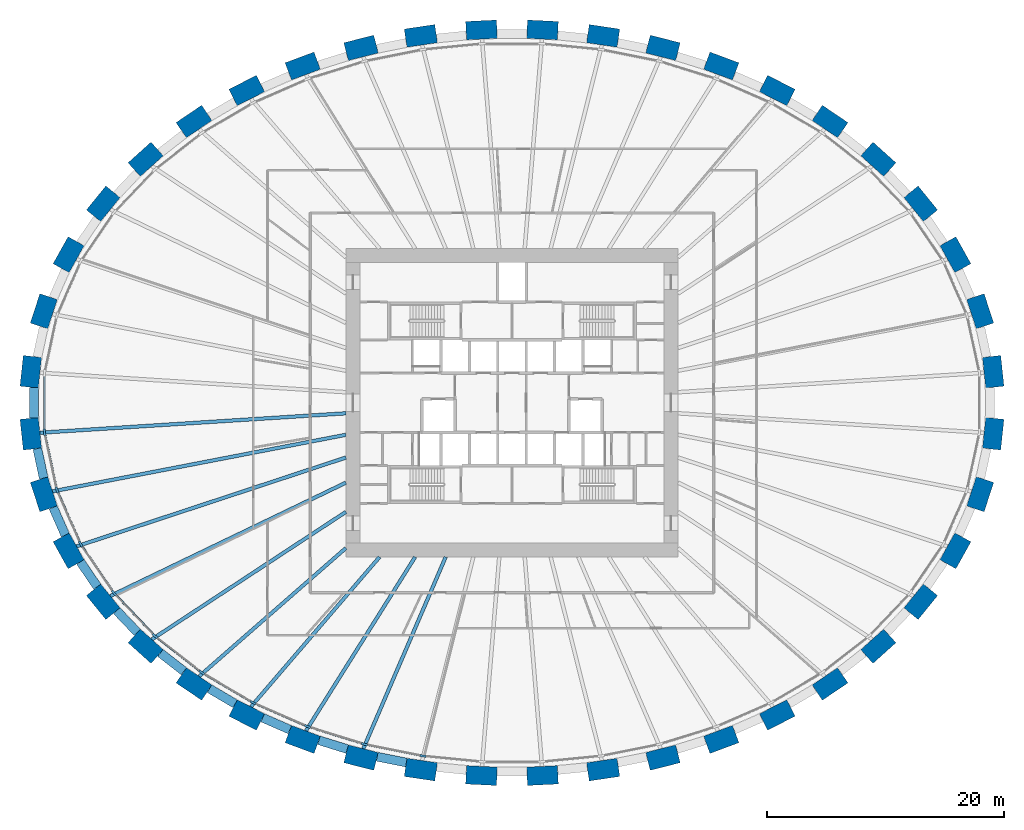
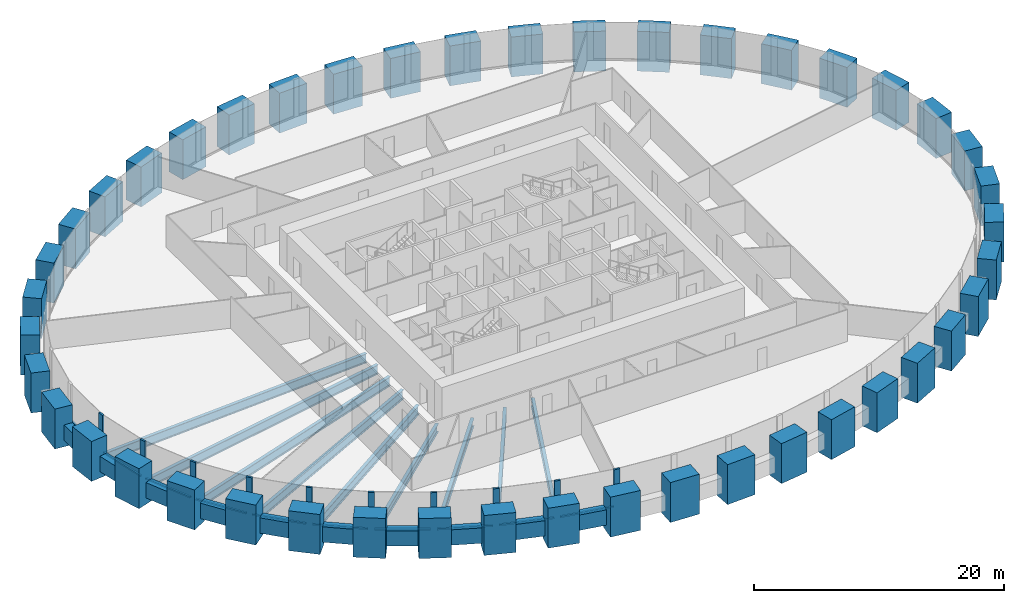
# One storey, part 1 of 11: 44 columns, 20 members, 19 beams, 1 element without a shape of its own.
"""IFC4 building model written with IfcOpenShell, lengths in metres."""

from ifc_helpers import new_model, si_unit, direction, frame, origin, origin_2d, place, context, subcontext, project, spatial, rectangle, i_section, extrude, source, transform, mapped, material, material_profile, profile_set, type_object, element, aggregate, save


model = new_model("IFC4")

# Units and contexts
model_context = context("Model", 3, precision=1e-05, world=origin(), true_north=direction((0.0, 1.0)))
body_context = subcontext(model_context, "Body", "Model", "MODEL_VIEW")
ifc_project = project(units=[si_unit("LENGTHUNIT", "METRE"), si_unit("AREAUNIT", "SQUARE_METRE"), si_unit("VOLUMEUNIT", "CUBIC_METRE"), si_unit("PLANEANGLEUNIT", "RADIAN"), si_unit("MASSUNIT", "GRAM", prefix="KILO")], contexts=[model_context])

# Site, building, storey
site_placement = place(None, origin())
site = spatial("IfcSite", under=ifc_project, at=site_placement, CompositionType="ELEMENT")
building_placement = place(site_placement, origin())
building = spatial("IfcBuilding", under=site, at=building_placement, Name="Embergate Tower", CompositionType="ELEMENT")
storey_placement = place(building_placement, frame((0.0, 0.0, 62.0)))
storey = spatial("IfcBuildingStorey", under=building, at=storey_placement, Name="L11", CompositionType="ELEMENT", Elevation=62.0)

# Columns
ifc_material_1 = material(Name="Concrete C70", Category="concrete")
ifc_material_profile_1 = material_profile(ifc_material_1, rectangle(XDim=1.550048828125, YDim=2.60009765625, at=origin_2d()), Name="RC 1550x2600")
ifc_profile_set_1 = profile_set([ifc_material_profile_1], Name="Concrete C70")
column_type = type_object("IfcColumnType", Name="Ring column RC 1550x2600 C70", PredefinedType="COLUMN", material=ifc_profile_set_1)
shared_shape_1 = source(origin(), body_context, "Body", "SweptSolid", [
    extrude(rectangle(XDim=1.550048828125, YDim=2.60009765625, at=origin_2d()), origin(), (0.0, 0.0, 1.0), 3.89990234375),
])
for number, where, z_axis, x_axis, name in (
    (1, (40.552001953125, 2.610107421875, -1.39990234375), (0.0, 0.0, 1.0), (0.99428589498, 0.106749983816, 0.0), "COL-L11-00"),
    (2, (39.455078125, 7.708984375, -1.39990234375), (0.0, 0.0, 1.0), (0.950754033697, 0.309946394413, 0.0), "COL-L11-01"),
    (3, (37.364013671875, 12.47705078125, -1.39990234375), (0.0, 0.0, 1.0), (0.873500465855, 0.486823311018, 0.0), "COL-L11-02"),
    (4, (34.445068359375, 16.77001953125, -1.39990234375), (0.0, 0.0, 1.0), (0.775925311702, 0.630824786022, 0.0), "COL-L11-03"),
    (5, (30.87109375, 20.51806640625, -1.39990234375), (0.0, 0.0, 1.0), (0.669221393633, 0.743063070206, 0.0), "COL-L11-04"),
    (6, (26.798095703125, 23.697998046875, -1.39990234375), (0.0, 0.0, 1.0), (0.560407734638, 0.828216862275, 0.0), "COL-L11-05"),
    (7, (22.35205078125, 26.31201171875, -1.39990234375), (0.0, 0.0, 1.0), (0.453010512651, 0.891505174089, 0.0), "COL-L11-06"),
    (8, (17.634033203125, 28.375, -1.39990234375), (0.0, 0.0, 1.0), (0.348343015724, 0.93736713373, 0.0), "COL-L11-07"),
    (9, (12.721923828125, 29.905029296875, -1.39990234375), (0.0, 0.0, 1.0), (0.24650851817, 0.969140624713, 0.0), "COL-L11-08"),
    (10, (7.681884765625, 30.916015625, -1.39990234375), (0.0, 0.0, 1.0), (0.146929011949, 0.989147039346, 0.0), "COL-L11-09"),
    (11, (2.569091796875, 31.41796875, -1.39990234375), (0.0, 0.0, 1.0), (0.048814904854, 0.998807841912, 0.0), "COL-L11-10"),
    (12, (-2.569091796875, 31.41796875, -1.39990234375), (0.0, 0.0, 1.0), (-0.048814904854, 0.998807841912, 0.0), "COL-L11-11"),
    (13, (-7.681884765625, 30.916015625, -1.39990234375), (0.0, 0.0, 1.0), (-0.146929011949, 0.989147039346, 0.0), "COL-L11-12"),
    (14, (-12.721923828125, 29.905029296875, -1.39990234375), (0.0, 0.0, 1.0), (-0.24650851817, 0.969140624713, 0.0), "COL-L11-13"),
    (15, (-17.634033203125, 28.375, -1.39990234375), (0.0, 0.0, 1.0), (-0.348343015724, 0.93736713373, 0.0), "COL-L11-14"),
    (16, (-22.35205078125, 26.31201171875, -1.39990234375), (0.0, 0.0, 1.0), (-0.453010512651, 0.891505174089, 0.0), "COL-L11-15"),
    (17, (-26.798095703125, 23.697998046875, -1.39990234375), (0.0, 0.0, 1.0), (-0.560407734638, 0.828216862275, 0.0), "COL-L11-16"),
    (18, (-30.87109375, 20.51806640625, -1.39990234375), (0.0, 0.0, 1.0), (-0.669221393633, 0.743063070206, 0.0), "COL-L11-17"),
    (19, (-34.445068359375, 16.77001953125, -1.39990234375), (0.0, 0.0, 1.0), (-0.775925311702, 0.630824786022, 0.0), "COL-L11-18"),
    (20, (-37.364013671875, 12.47705078125, -1.39990234375), (0.0, 0.0, 1.0), (-0.873500465855, 0.486823311018, 0.0), "COL-L11-19"),
    (21, (-39.455078125, 7.708984375, -1.39990234375), (0.0, 0.0, 1.0), (-0.950754033697, 0.309946394413, 0.0), "COL-L11-20"),
    (22, (-40.552001953125, 2.610107421875, -1.39990234375), (0.0, 0.0, 1.0), (-0.99428589498, 0.106749983816, 0.0), "COL-L11-21"),
    (23, (-40.552001953125, -2.610107421875, -1.39990234375), (0.0, 0.0, 1.0), (-0.99428589498, -0.106749983816, 0.0), "COL-L11-22"),
    (24, (-39.455078125, -7.708984375, -1.39990234375), (0.0, 0.0, 1.0), (-0.950754033697, -0.309946394413, 0.0), "COL-L11-23"),
    (25, (-37.364013671875, -12.47705078125, -1.39990234375), (0.0, 0.0, 1.0), (-0.873500465855, -0.486823311018, 0.0), "COL-L11-24"),
    (26, (-34.445068359375, -16.77001953125, -1.39990234375), (0.0, 0.0, 1.0), (-0.775925311702, -0.630824786022, 0.0), "COL-L11-25"),
    (27, (-30.87109375, -20.51806640625, -1.39990234375), (0.0, 0.0, 1.0), (-0.669221393633, -0.743063070206, 0.0), "COL-L11-26"),
    (28, (-26.798095703125, -23.697998046875, -1.39990234375), (0.0, 0.0, 1.0), (-0.560407734638, -0.828216862275, 0.0), "COL-L11-27"),
    (29, (-22.35205078125, -26.31201171875, -1.39990234375), (0.0, 0.0, 1.0), (-0.453010512651, -0.891505174089, 0.0), "COL-L11-28"),
    (30, (-17.634033203125, -28.375, -1.39990234375), (0.0, 0.0, 1.0), (-0.348343015724, -0.93736713373, 0.0), "COL-L11-29"),
    (31, (-12.721923828125, -29.905029296875, -1.39990234375), (0.0, 0.0, 1.0), (-0.24650851817, -0.969140624713, 0.0), "COL-L11-30"),
    (32, (-7.681884765625, -30.916015625, -1.39990234375), (0.0, 0.0, 1.0), (-0.146929011949, -0.989147039346, 0.0), "COL-L11-31"),
    (33, (-2.569091796875, -31.41796875, -1.39990234375), (0.0, 0.0, 1.0), (-0.048814904854, -0.998807841912, 0.0), "COL-L11-32"),
    (34, (2.569091796875, -31.41796875, -1.39990234375), (0.0, 0.0, 1.0), (0.048814904854, -0.998807841912, 0.0), "COL-L11-33"),
    (35, (7.681884765625, -30.916015625, -1.39990234375), (0.0, 0.0, 1.0), (0.146929011949, -0.989147039346, 0.0), "COL-L11-34"),
    (36, (12.721923828125, -29.905029296875, -1.39990234375), (0.0, 0.0, 1.0), (0.24650851817, -0.969140624713, 0.0), "COL-L11-35"),
    (37, (17.634033203125, -28.375, -1.39990234375), (0.0, 0.0, 1.0), (0.348343015724, -0.93736713373, 0.0), "COL-L11-36"),
    (38, (22.35205078125, -26.31201171875, -1.39990234375), (0.0, 0.0, 1.0), (0.453010512651, -0.891505174089, 0.0), "COL-L11-37"),
    (39, (26.798095703125, -23.697998046875, -1.39990234375), (0.0, 0.0, 1.0), (0.560407734638, -0.828216862275, 0.0), "COL-L11-38"),
    (40, (30.87109375, -20.51806640625, -1.39990234375), (0.0, 0.0, 1.0), (0.669221393633, -0.743063070206, 0.0), "COL-L11-39"),
    (41, (34.445068359375, -16.77001953125, -1.39990234375), (0.0, 0.0, 1.0), (0.775925311702, -0.630824786022, 0.0), "COL-L11-40"),
    (42, (37.364013671875, -12.47705078125, -1.39990234375), (0.0, 0.0, 1.0), (0.873500465855, -0.486823311018, 0.0), "COL-L11-41"),
    (43, (39.455078125, -7.708984375, -1.39990234375), (0.0, 0.0, 1.0), (0.950754033697, -0.309946394413, 0.0), "COL-L11-42"),
    (44, (40.552001953125, -2.610107421875, -1.39990234375), (0.0, 0.0, 1.0), (0.99428589498, -0.106749983816, 0.0), "COL-L11-43"),
):
    element("IfcColumn", number, at=place(storey_placement, frame(where, z_axis=z_axis, x_axis=x_axis)), inside=storey, type_object=column_type, Name=name, PredefinedType="COLUMN", context=body_context, shape_type="MappedRepresentation", body=[
        mapped(shared_shape_1, transform((0.0, 0.0, 0.0))),
    ])

# Beams
ifc_material_profile_2 = material_profile(ifc_material_1, rectangle(XDim=0.75, YDim=1.5, at=origin_2d()), Name="RC 750x1500")
ifc_profile_set_2 = profile_set([ifc_material_profile_2], Name="Concrete C70")
beam_type_1 = type_object("IfcBeamType", Name="Spandrel beam RC 750x1500 C70", PredefinedType="BEAM", material=ifc_profile_set_2)
shared_shape_2 = source(origin(), body_context, "Body", "SweptSolid", [
    extrude(rectangle(XDim=0.75, YDim=1.5, at=origin_2d()), origin(), (0.0, 0.0, 1.0), 2.5439453125),
])
beam_1_placement = place(storey_placement, frame((-40.0009765625, -3.85791015625, 0.0), z_axis=(0.210269633901, -0.977643432474, 0.0), x_axis=(0.977643432474, 0.210269633901, 0.0)))
element("IfcBeam", 45, at=beam_1_placement, inside=storey, type_object=beam_type_1, Name="SPN-L11-22", PredefinedType="BEAM", context=body_context, shape_type="MappedRepresentation", body=[
    mapped(shared_shape_2, transform((0.0, 0.0, 0.0))),
])
shared_shape_3 = source(origin(), body_context, "Body", "SweptSolid", [
    extrude(rectangle(XDim=0.75, YDim=1.5, at=origin_2d()), origin(), (0.0, 0.0, 1.0), 2.540771484375),
])
beam_2_placement = place(storey_placement, frame((-38.666015625, -8.819091796875, 0.0), z_axis=(0.401479097778, -0.915868185956, 0.0), x_axis=(0.915868185956, 0.401479097778, 0.0)))
element("IfcBeam", 46, at=beam_2_placement, inside=storey, type_object=beam_type_1, Name="SPN-L11-23", PredefinedType="BEAM", context=body_context, shape_type="MappedRepresentation", body=[
    mapped(shared_shape_3, transform((0.0, 0.0, 0.0))),
])
shared_shape_4 = source(origin(), body_context, "Body", "SweptSolid", [
    extrude(rectangle(XDim=0.75, YDim=1.5, at=origin_2d()), origin(), (0.0, 0.0, 1.0), 2.5302734375),
])
beam_3_placement = place(storey_placement, frame((-36.3701171875, -13.410888671875, 0.0), z_axis=(0.562447254988, -0.82683316658, 0.0), x_axis=(0.82683316658, 0.562447254988, 0.0)))
element("IfcBeam", 47, at=beam_3_placement, inside=storey, type_object=beam_type_1, Name="SPN-L11-24", PredefinedType="BEAM", context=body_context, shape_type="MappedRepresentation", body=[
    mapped(shared_shape_4, transform((0.0, 0.0, 0.0))),
])
shared_shape_5 = source(origin(), body_context, "Body", "SweptSolid", [
    extrude(rectangle(XDim=0.75, YDim=1.5, at=origin_2d()), origin(), (0.0, 0.0, 1.0), 2.525146484375),
])
beam_4_placement = place(storey_placement, frame((-33.31298828125, -17.52490234375, 0.0), z_axis=(0.689836216716, -0.723965464719, 0.0), x_axis=(0.723965464719, 0.689836216716, 0.0)))
element("IfcBeam", 48, at=beam_4_placement, inside=storey, type_object=beam_type_1, Name="SPN-L11-25", PredefinedType="BEAM", context=body_context, shape_type="MappedRepresentation", body=[
    mapped(shared_shape_5, transform((0.0, 0.0, 0.0))),
])
shared_shape_6 = source(origin(), body_context, "Body", "SweptSolid", [
    extrude(rectangle(XDim=0.75, YDim=1.5, at=origin_2d()), origin(), (0.0, 0.0, 1.0), 2.51708984375),
])
beam_5_placement = place(storey_placement, frame((-29.6298828125, -21.0830078125, 0.0), z_axis=(0.788186103863, -0.615436971328, 0.0), x_axis=(0.615436971328, 0.788186103863, 0.0)))
element("IfcBeam", 49, at=beam_5_placement, inside=storey, type_object=beam_type_1, Name="SPN-L11-26", PredefinedType="BEAM", context=body_context, shape_type="MappedRepresentation", body=[
    mapped(shared_shape_6, transform((0.0, 0.0, 0.0))),
])
shared_shape_7 = source(origin(), body_context, "Body", "SweptSolid", [
    extrude(rectangle(XDim=0.75, YDim=1.5, at=origin_2d()), origin(), (0.0, 0.0, 1.0), 2.512451171875),
])
beam_6_placement = place(storey_placement, frame((-25.49609375, -24.093994140625, 0.0), z_axis=(0.862138987282, -0.506671852986, 0.0), x_axis=(0.506671852986, 0.862138987282, 0.0)))
element("IfcBeam", 50, at=beam_6_placement, inside=storey, type_object=beam_type_1, Name="SPN-L11-27", PredefinedType="BEAM", context=body_context, shape_type="MappedRepresentation", body=[
    mapped(shared_shape_7, transform((0.0, 0.0, 0.0))),
])
shared_shape_8 = source(origin(), body_context, "Body", "SweptSolid", [
    extrude(rectangle(XDim=0.75, YDim=1.5, at=origin_2d()), origin(), (0.0, 0.0, 1.0), 2.508056640625),
])
beam_7_placement = place(storey_placement, frame((-21.013916015625, -26.549072265625, 0.0), z_axis=(0.916219880472, -0.400675842331, 0.0), x_axis=(0.400675842331, 0.916219880472, 0.0)))
element("IfcBeam", 51, at=beam_7_placement, inside=storey, type_object=beam_type_1, Name="SPN-L11-28", PredefinedType="BEAM", context=body_context, shape_type="MappedRepresentation", body=[
    mapped(shared_shape_8, transform((0.0, 0.0, 0.0))),
])
shared_shape_9 = source(origin(), body_context, "Body", "SweptSolid", [
    extrude(rectangle(XDim=0.75, YDim=1.5, at=origin_2d()), origin(), (0.0, 0.0, 1.0), 2.505126953125),
])
beam_8_placement = place(storey_placement, frame((-16.27294921875, -28.444091796875, 0.0), z_axis=(0.95477257779, -0.297337055715, 0.0), x_axis=(0.297337055715, 0.95477257779, 0.0)))
element("IfcBeam", 52, at=beam_8_placement, inside=storey, type_object=beam_type_1, Name="SPN-L11-29", PredefinedType="BEAM", context=body_context, shape_type="MappedRepresentation", body=[
    mapped(shared_shape_9, transform((0.0, 0.0, 0.0))),
])
shared_shape_10 = source(origin(), body_context, "Body", "SweptSolid", [
    extrude(rectangle(XDim=0.75, YDim=1.5, at=origin_2d()), origin(), (0.0, 0.0, 1.0), 2.5029296875),
])
beam_9_placement = place(storey_placement, frame((-11.362060546875, -29.83203125, 0.0), z_axis=(0.980494293439, -0.196547552853, 0.0), x_axis=(0.196547552853, 0.980494293439, 0.0)))
element("IfcBeam", 53, at=beam_9_placement, inside=storey, type_object=beam_type_1, Name="SPN-L11-30", PredefinedType="BEAM", context=body_context, shape_type="MappedRepresentation", body=[
    mapped(shared_shape_10, transform((0.0, 0.0, 0.0))),
])
shared_shape_11 = source(origin(), body_context, "Body", "SweptSolid", [
    extrude(rectangle(XDim=0.75, YDim=1.5, at=origin_2d()), origin(), (0.0, 0.0, 1.0), 2.5498046875),
])
beam_10_placement = place(storey_placement, frame((-40.2958984375, 1.27490234375, 0.0), z_axis=(0.0, -1.0, 0.0), x_axis=(1.0, 0.0, 0.0)))
element("IfcBeam", 54, at=beam_10_placement, inside=storey, type_object=beam_type_1, Name="SPN-L11-21", PredefinedType="BEAM", context=body_context, shape_type="MappedRepresentation", body=[
    mapped(shared_shape_11, transform((0.0, 0.0, 0.0))),
])
ifc_material_2 = material(Name="Steel Q355B", Category="steel")
ifc_material_profile_3 = material_profile(ifc_material_2, i_section(OverallWidth=0.300048828125, OverallDepth=0.89990234375, WebThickness=0.01611328125, FlangeThickness=0.028076171875, FilletRadius=0.028076171875, at=origin_2d()), Name="HN 900x300x16x28")
ifc_profile_set_3 = profile_set([ifc_material_profile_3], Name="Steel Q355 grade B")
beam_type_2 = type_object("IfcBeamType", Name="Radial girder HN 900x300x16x28", PredefinedType="BEAM", material=ifc_profile_set_3)
shared_shape_12 = source(origin(), body_context, "Body", "SweptSolid", [
    extrude(i_section(OverallWidth=0.300048828125, OverallDepth=0.89990234375, WebThickness=0.01611328125, FlangeThickness=0.028076171875, FilletRadius=0.028076171875, at=origin_2d()), origin(), (0.0, 0.0, 1.0), 25.8330078125),
])
beam_11_placement = place(storey_placement, frame((-39.781005859375, -2.527099609375, -0.64990234375), z_axis=(0.997987282957, 0.063414375786, 0.0), x_axis=(-0.063414375786, 0.997987282957, 0.0)))
element("IfcBeam", 55, at=beam_11_placement, inside=storey, type_object=beam_type_2, Name="GIR-L11-22", PredefinedType="BEAM", context=body_context, shape_type="MappedRepresentation", body=[
    mapped(shared_shape_12, transform((0.0, 0.0, 0.0))),
])
shared_shape_13 = source(origin(), body_context, "Body", "SweptSolid", [
    extrude(i_section(OverallWidth=0.300048828125, OverallDepth=0.89990234375, WebThickness=0.01611328125, FlangeThickness=0.028076171875, FilletRadius=0.028076171875, at=origin_2d()), origin(), (0.0, 0.0, 1.0), 25.173583984375),
])
beam_12_placement = place(storey_placement, frame((-38.718017578125, -7.468994140625, -0.64990234375), z_axis=(0.981898721565, 0.189406706822, 0.0), x_axis=(-0.189406706822, 0.981898721565, 0.0)))
element("IfcBeam", 56, at=beam_12_placement, inside=storey, type_object=beam_type_2, Name="GIR-L11-23", PredefinedType="BEAM", context=body_context, shape_type="MappedRepresentation", body=[
    mapped(shared_shape_13, transform((0.0, 0.0, 0.0))),
])
shared_shape_14 = source(origin(), body_context, "Body", "SweptSolid", [
    extrude(i_section(OverallWidth=0.300048828125, OverallDepth=0.89990234375, WebThickness=0.01611328125, FlangeThickness=0.028076171875, FilletRadius=0.028076171875, at=origin_2d()), origin(), (0.0, 0.0, 1.0), 23.889404296875),
])
beam_13_placement = place(storey_placement, frame((-36.68701171875, -12.10009765625, -0.64990234375), z_axis=(0.949672981662, 0.313243081171, 0.0), x_axis=(-0.313243081171, 0.949672981662, 0.0)))
element("IfcBeam", 57, at=beam_13_placement, inside=storey, type_object=beam_type_2, Name="GIR-L11-24", PredefinedType="BEAM", context=body_context, shape_type="MappedRepresentation", body=[
    mapped(shared_shape_14, transform((0.0, 0.0, 0.0))),
])
shared_shape_15 = source(origin(), body_context, "Body", "SweptSolid", [
    extrude(i_section(OverallWidth=0.300048828125, OverallDepth=0.89990234375, WebThickness=0.01611328125, FlangeThickness=0.028076171875, FilletRadius=0.028076171875, at=origin_2d()), origin(), (0.0, 0.0, 1.0), 22.020751953125),
])
beam_14_placement = place(storey_placement, frame((-33.843994140625, -16.281005859375, -0.64990234375), z_axis=(0.90115457104, 0.433497911291, 0.0), x_axis=(-0.433497911291, 0.90115457104, 0.0)))
element("IfcBeam", 58, at=beam_14_placement, inside=storey, type_object=beam_type_2, Name="GIR-L11-25", PredefinedType="BEAM", context=body_context, shape_type="MappedRepresentation", body=[
    mapped(shared_shape_15, transform((0.0, 0.0, 0.0))),
])
shared_shape_16 = source(origin(), body_context, "Body", "SweptSolid", [
    extrude(i_section(OverallWidth=0.300048828125, OverallDepth=0.89990234375, WebThickness=0.01611328125, FlangeThickness=0.028076171875, FilletRadius=0.028076171875, at=origin_2d()), origin(), (0.0, 0.0, 1.0), 19.56591796875),
])
beam_15_placement = place(storey_placement, frame((-30.35205078125, -19.94189453125, -0.64990234375), z_axis=(0.835746219167, 0.549115886812, 0.0), x_axis=(-0.549115886812, 0.835746219167, 0.0)))
element("IfcBeam", 59, at=beam_15_placement, inside=storey, type_object=beam_type_2, Name="GIR-L11-26", PredefinedType="BEAM", context=body_context, shape_type="MappedRepresentation", body=[
    mapped(shared_shape_16, transform((0.0, 0.0, 0.0))),
])
ifc_material_profile_4 = material_profile(ifc_material_2, i_section(OverallWidth=0.300048828125, OverallDepth=0.800048828125, WebThickness=0.013916015625, FlangeThickness=0.02587890625, FilletRadius=0.028076171875, at=origin_2d()), Name="HN 800x300x14x26")
ifc_profile_set_4 = profile_set([ifc_material_profile_4], Name="Steel Q355 grade B")
beam_type_3 = type_object("IfcBeamType", Name="Radial girder HN 800x300x14x26", PredefinedType="BEAM", material=ifc_profile_set_4)
shared_shape_17 = source(origin(), body_context, "Body", "SweptSolid", [
    extrude(i_section(OverallWidth=0.300048828125, OverallDepth=0.800048828125, WebThickness=0.013916015625, FlangeThickness=0.02587890625, FilletRadius=0.028076171875, at=origin_2d()), origin(), (0.0, 0.0, 1.0), 16.424560546875),
])
beam_16_placement = place(storey_placement, frame((-26.364013671875, -23.055908203125, -0.60009765625), z_axis=(0.752772791173, 0.658280430265, 0.0), x_axis=(-0.658280430265, 0.752772791173, 0.0)))
element("IfcBeam", 60, at=beam_16_placement, inside=storey, type_object=beam_type_3, Name="GIR-L11-27", PredefinedType="BEAM", context=body_context, shape_type="MappedRepresentation", body=[
    mapped(shared_shape_17, transform((0.0, 0.0, 0.0))),
])
shared_shape_18 = source(origin(), body_context, "Body", "SweptSolid", [
    extrude(i_section(OverallWidth=0.300048828125, OverallDepth=0.800048828125, WebThickness=0.013916015625, FlangeThickness=0.02587890625, FilletRadius=0.028076171875, at=origin_2d()), origin(), (0.0, 0.0, 1.0), 16.6357421875),
])
beam_17_placement = place(storey_placement, frame((-22.0009765625, -25.62109375, -0.60009765625), z_axis=(0.651477578484, 0.758667888297, 0.0), x_axis=(-0.758667888297, 0.651477578484, 0.0)))
element("IfcBeam", 61, at=beam_17_placement, inside=storey, type_object=beam_type_3, Name="GIR-L11-28", PredefinedType="BEAM", context=body_context, shape_type="MappedRepresentation", body=[
    mapped(shared_shape_18, transform((0.0, 0.0, 0.0))),
])
shared_shape_19 = source(origin(), body_context, "Body", "SweptSolid", [
    extrude(i_section(OverallWidth=0.300048828125, OverallDepth=0.800048828125, WebThickness=0.013916015625, FlangeThickness=0.02587890625, FilletRadius=0.028076171875, at=origin_2d()), origin(), (0.0, 0.0, 1.0), 17.29833984375),
])
beam_18_placement = place(storey_placement, frame((-17.364013671875, -27.64892578125, -0.60009765625), z_axis=(0.53184228431, 0.84684342391, 0.0), x_axis=(-0.84684342391, 0.53184228431, 0.0)))
element("IfcBeam", 62, at=beam_18_placement, inside=storey, type_object=beam_type_3, Name="GIR-L11-29", PredefinedType="BEAM", context=body_context, shape_type="MappedRepresentation", body=[
    mapped(shared_shape_19, transform((0.0, 0.0, 0.0))),
])
shared_shape_20 = source(origin(), body_context, "Body", "SweptSolid", [
    extrude(i_section(OverallWidth=0.300048828125, OverallDepth=0.800048828125, WebThickness=0.013916015625, FlangeThickness=0.02587890625, FilletRadius=0.028076171875, at=origin_2d()), origin(), (0.0, 0.0, 1.0), 17.5830078125),
])
beam_19_placement = place(storey_placement, frame((-12.531005859375, -29.154052734375, -0.60009765625), z_axis=(0.394877633305, 0.91873372351, 0.0), x_axis=(-0.91873372351, 0.394877633305, 0.0)))
element("IfcBeam", 63, at=beam_19_placement, inside=storey, type_object=beam_type_3, Name="GIR-L11-30", PredefinedType="BEAM", context=body_context, shape_type="MappedRepresentation", body=[
    mapped(shared_shape_20, transform((0.0, 0.0, 0.0))),
])

# Curtain wall, members
ifc_material_3 = material(Name="Aluminium and glass", Category="aluminium")
curtain_wall_type = type_object("IfcCurtainWallType", Name="Recessed office glazing", PredefinedType="NOTDEFINED", material=ifc_material_3)
curtain_wall_placement = place(storey_placement, origin())
curtain_wall = element("IfcCurtainWall", 64, at=curtain_wall_placement, inside=storey, type_object=curtain_wall_type, Name="Recessed office glazing ring", ObjectType="RECESSED OFFICE GLAZING", PredefinedType="USERDEFINED")
ifc_material_4 = material(Name="Aluminium, thermally broken", Category="aluminium")
ifc_material_profile_5 = material_profile(ifc_material_4, rectangle(XDim=0.179931640625, YDim=0.52001953125, at=origin_2d()), Name="AL 520x180")
ifc_profile_set_5 = profile_set([ifc_material_profile_5], Name="Aluminium, thermally broken")
member_type_1 = type_object("IfcMemberType", Name="Office mullion", PredefinedType="MULLION", material=ifc_profile_set_5)
shared_shape_21 = source(origin(), body_context, "Body", "SweptSolid", [
    extrude(rectangle(XDim=0.179931640625, YDim=0.52001953125, at=origin_2d()), origin(), (0.0, 0.0, 1.0), 3.699951171875),
])
member_1_placement = place(storey_placement, frame((-39.393798828125, -2.485595703125, 0.0), z_axis=(0.0, 0.0, 1.0), x_axis=(0.994385508811, 0.105818050756, 0.0)))
member_1 = element("IfcMember", 65, at=member_1_placement, type_object=member_type_1, Name="CW mullion 23", PredefinedType="MULLION", context=body_context, shape_type="MappedRepresentation", body=[
    mapped(shared_shape_21, transform((0.0, 0.0, 0.0))),
])
member_2_placement = place(storey_placement, frame((-38.347412109375, -7.347900390625, 0.0), z_axis=(0.0, 0.0, 1.0), x_axis=(0.951502093582, 0.307642269381, 0.0)))
member_2 = element("IfcMember", 66, at=member_2_placement, type_object=member_type_1, Name="CW mullion 24", PredefinedType="MULLION", context=body_context, shape_type="MappedRepresentation", body=[
    mapped(shared_shape_21, transform((0.0, 0.0, 0.0))),
])
member_3_placement = place(storey_placement, frame((-36.3466796875, -11.909423828125, 0.0), z_axis=(0.0, 0.0, 1.0), x_axis=(0.875010345178, 0.48410422001, 0.0)))
member_3 = element("IfcMember", 67, at=member_3_placement, type_object=member_type_1, Name="CW mullion 25", PredefinedType="MULLION", context=body_context, shape_type="MappedRepresentation", body=[
    mapped(shared_shape_21, transform((0.0, 0.0, 0.0))),
])
member_4_placement = place(storey_placement, frame((-33.541015625, -16.035400390625, 0.0), z_axis=(0.0, 0.0, 1.0), x_axis=(0.777883532271, 0.628408474022, 0.0)))
member_4 = element("IfcMember", 68, at=member_4_placement, type_object=member_type_1, Name="CW mullion 26", PredefinedType="MULLION", context=body_context, shape_type="MappedRepresentation", body=[
    mapped(shared_shape_21, transform((0.0, 0.0, 0.0))),
])
member_5_placement = place(storey_placement, frame((-30.09130859375, -19.65283203125, 0.0), z_axis=(0.0, 0.0, 1.0), x_axis=(0.671239471147, 0.741240563093, 0.0)))
member_5 = element("IfcMember", 69, at=member_5_placement, type_object=member_type_1, Name="CW mullion 27", PredefinedType="MULLION", context=body_context, shape_type="MappedRepresentation", body=[
    mapped(shared_shape_21, transform((0.0, 0.0, 0.0))),
])
member_6_placement = place(storey_placement, frame((-26.14501953125, -22.73291015625, 0.0), z_axis=(0.0, 0.0, 1.0), x_axis=(0.562229165438, 0.826981478348, 0.0)))
member_6 = element("IfcMember", 70, at=member_6_placement, type_object=member_type_1, Name="CW mullion 28", PredefinedType="MULLION", context=body_context, shape_type="MappedRepresentation", body=[
    mapped(shared_shape_21, transform((0.0, 0.0, 0.0))),
])
member_7_placement = place(storey_placement, frame((-21.824462890625, -25.273193359375, 0.0), z_axis=(0.0, 0.0, 1.0), x_axis=(0.454520708319, 0.890736170653, 0.0)))
member_7 = element("IfcMember", 71, at=member_7_placement, type_object=member_type_1, Name="CW mullion 29", PredefinedType="MULLION", context=body_context, shape_type="MappedRepresentation", body=[
    mapped(shared_shape_21, transform((0.0, 0.0, 0.0))),
])
member_8_placement = place(storey_placement, frame((-17.22802734375, -27.282958984375, 0.0), z_axis=(0.0, 0.0, 1.0), x_axis=(0.349510859141, 0.936932313106, 0.0)))
member_8 = element("IfcMember", 72, at=member_8_placement, type_object=member_type_1, Name="CW mullion 30", PredefinedType="MULLION", context=body_context, shape_type="MappedRepresentation", body=[
    mapped(shared_shape_21, transform((0.0, 0.0, 0.0))),
])
member_9_placement = place(storey_placement, frame((-12.435302734375, -28.775634765625, 0.0), z_axis=(0.0, 0.0, 1.0), x_axis=(0.247318645812, 0.968934201808, 0.0)))
member_9 = element("IfcMember", 73, at=member_9_placement, type_object=member_type_1, Name="CW mullion 31", PredefinedType="MULLION", context=body_context, shape_type="MappedRepresentation", body=[
    mapped(shared_shape_21, transform((0.0, 0.0, 0.0))),
])
member_10_placement = place(storey_placement, frame((-7.51123046875, -29.76318359375, 0.0), z_axis=(0.0, 0.0, 1.0), x_axis=(0.147415835341, 0.989074603602, 0.0)))
member_10 = element("IfcMember", 74, at=member_10_placement, type_object=member_type_1, Name="CW mullion 32", PredefinedType="MULLION", context=body_context, shape_type="MappedRepresentation", body=[
    mapped(shared_shape_21, transform((0.0, 0.0, 0.0))),
])
ifc_material_profile_6 = material_profile(ifc_material_4, rectangle(XDim=0.179931640625, YDim=0.14990234375, at=origin_2d()), Name="AL 150x180")
ifc_profile_set_6 = profile_set([ifc_material_profile_6], Name="Aluminium, thermally broken")
member_type_2 = type_object("IfcMemberType", Name="Office sill transom", PredefinedType="USERDEFINED", material=ifc_profile_set_6)
shared_shape_22 = source(origin(), body_context, "Body", "SweptSolid", [
    extrude(rectangle(XDim=0.179931640625, YDim=0.14990234375, at=origin_2d()), origin(), (0.0, 0.0, 1.0), 4.45361328125),
])
member_11_placement = place(storey_placement, frame((-39.339111328125, -2.73974609375, 0.074951171875), z_axis=(0.210390045313, -0.977617526865, 0.0), x_axis=(0.977617526865, 0.210390045313, 0.0)))
member_11 = element("IfcMember", 75, at=member_11_placement, type_object=member_type_2, Name="CW transom 23.1", ObjectType="TRANSOM", PredefinedType="USERDEFINED", context=body_context, shape_type="MappedRepresentation", body=[
    mapped(shared_shape_22, transform((0.0, 0.0, 0.0))),
])
shared_shape_23 = source(origin(), body_context, "Body", "SweptSolid", [
    extrude(rectangle(XDim=0.179931640625, YDim=0.14990234375, at=origin_2d()), origin(), (0.0, 0.0, 1.0), 4.460693359375),
])
member_12_placement = place(storey_placement, frame((-38.242919921875, -7.586181640625, 0.074951171875), z_axis=(0.401613983085, -0.915809045921, 0.0), x_axis=(0.915809045921, 0.401613983085, 0.0)))
member_12 = element("IfcMember", 76, at=member_12_placement, type_object=member_type_2, Name="CW transom 24.1", ObjectType="TRANSOM", PredefinedType="USERDEFINED", context=body_context, shape_type="MappedRepresentation", body=[
    mapped(shared_shape_23, transform((0.0, 0.0, 0.0))),
])
shared_shape_24 = source(origin(), body_context, "Body", "SweptSolid", [
    extrude(rectangle(XDim=0.179931640625, YDim=0.14990234375, at=origin_2d()), origin(), (0.0, 0.0, 1.0), 4.4697265625),
])
member_13_placement = place(storey_placement, frame((-36.20068359375, -12.12451171875, 0.074951171875), z_axis=(0.562327949545, -0.826914310652, 0.0), x_axis=(0.826914310652, 0.562327949545, 0.0)))
member_13 = element("IfcMember", 77, at=member_13_placement, type_object=member_type_2, Name="CW transom 25.1", ObjectType="TRANSOM", PredefinedType="USERDEFINED", context=body_context, shape_type="MappedRepresentation", body=[
    mapped(shared_shape_24, transform((0.0, 0.0, 0.0))),
])
shared_shape_25 = source(origin(), body_context, "Body", "SweptSolid", [
    extrude(rectangle(XDim=0.179931640625, YDim=0.14990234375, at=origin_2d()), origin(), (0.0, 0.0, 1.0), 4.478515625),
])
member_14_placement = place(storey_placement, frame((-33.361572265625, -16.2236328125, 0.074951171875), z_axis=(0.690145055563, -0.723671059447, 0.0), x_axis=(0.723671059447, 0.690145055563, 0.0)))
member_14 = element("IfcMember", 78, at=member_14_placement, type_object=member_type_2, Name="CW transom 26.1", ObjectType="TRANSOM", PredefinedType="USERDEFINED", context=body_context, shape_type="MappedRepresentation", body=[
    mapped(shared_shape_25, transform((0.0, 0.0, 0.0))),
])
shared_shape_26 = source(origin(), body_context, "Body", "SweptSolid", [
    extrude(rectangle(XDim=0.179931640625, YDim=0.14990234375, at=origin_2d()), origin(), (0.0, 0.0, 1.0), 4.486083984375),
])
member_15_placement = place(storey_placement, frame((-29.886474609375, -19.812744140625, 0.074951171875), z_axis=(0.78829904423, -0.615292301972, 0.0), x_axis=(0.615292301972, 0.78829904423, 0.0)))
member_15 = element("IfcMember", 79, at=member_15_placement, type_object=member_type_2, Name="CW transom 27.1", ObjectType="TRANSOM", PredefinedType="USERDEFINED", context=body_context, shape_type="MappedRepresentation", body=[
    mapped(shared_shape_26, transform((0.0, 0.0, 0.0))),
])
shared_shape_27 = source(origin(), body_context, "Body", "SweptSolid", [
    extrude(rectangle(XDim=0.179931640625, YDim=0.14990234375, at=origin_2d()), origin(), (0.0, 0.0, 1.0), 4.491943359375),
])
member_16_placement = place(storey_placement, frame((-25.9208984375, -22.86474609375, 0.074951171875), z_axis=(0.8620529522, -0.506818219486, 0.0), x_axis=(0.506818219486, 0.8620529522, 0.0)))
member_16 = element("IfcMember", 80, at=member_16_placement, type_object=member_type_2, Name="CW transom 28.1", ObjectType="TRANSOM", PredefinedType="USERDEFINED", context=body_context, shape_type="MappedRepresentation", body=[
    mapped(shared_shape_27, transform((0.0, 0.0, 0.0))),
])
shared_shape_28 = source(origin(), body_context, "Body", "SweptSolid", [
    extrude(rectangle(XDim=0.179931640625, YDim=0.14990234375, at=origin_2d()), origin(), (0.0, 0.0, 1.0), 4.49658203125),
])
member_17_placement = place(storey_placement, frame((-21.586181640625, -25.377197265625, 0.074951171875), z_axis=(0.9162134002, -0.400690660354, 0.0), x_axis=(0.400690660354, 0.9162134002, 0.0)))
member_17 = element("IfcMember", 81, at=member_17_placement, type_object=member_type_2, Name="CW transom 29.1", ObjectType="TRANSOM", PredefinedType="USERDEFINED", context=body_context, shape_type="MappedRepresentation", body=[
    mapped(shared_shape_28, transform((0.0, 0.0, 0.0))),
])
shared_shape_29 = source(origin(), body_context, "Body", "SweptSolid", [
    extrude(rectangle(XDim=0.179931640625, YDim=0.14990234375, at=origin_2d()), origin(), (0.0, 0.0, 1.0), 4.5),
])
member_18_placement = place(storey_placement, frame((-16.97998046875, -27.3603515625, 0.074951171875), z_axis=(0.954763366225, -0.297366633156, 0.0), x_axis=(0.297366633156, 0.954763366225, 0.0)))
member_18 = element("IfcMember", 82, at=member_18_placement, type_object=member_type_2, Name="CW transom 30.1", ObjectType="TRANSOM", PredefinedType="USERDEFINED", context=body_context, shape_type="MappedRepresentation", body=[
    mapped(shared_shape_29, transform((0.0, 0.0, 0.0))),
])
shared_shape_30 = source(origin(), body_context, "Body", "SweptSolid", [
    extrude(rectangle(XDim=0.179931640625, YDim=0.14990234375, at=origin_2d()), origin(), (0.0, 0.0, 1.0), 4.502197265625),
])
member_19_placement = place(storey_placement, frame((-12.180419921875, -28.826904296875, 0.074951171875), z_axis=(0.980478345518, -0.196627093681, 0.0), x_axis=(0.196627093681, 0.980478345518, 0.0)))
member_19 = element("IfcMember", 83, at=member_19_placement, type_object=member_type_2, Name="CW transom 31.1", ObjectType="TRANSOM", PredefinedType="USERDEFINED", context=body_context, shape_type="MappedRepresentation", body=[
    mapped(shared_shape_30, transform((0.0, 0.0, 0.0))),
])
shared_shape_31 = source(origin(), body_context, "Body", "SweptSolid", [
    extrude(rectangle(XDim=0.179931640625, YDim=0.14990234375, at=origin_2d()), origin(), (0.0, 0.0, 1.0), 4.451171875),
])
member_20_placement = place(storey_placement, frame((-39.393798828125, 2.2255859375, 0.074951171875), z_axis=(0.0, -1.0, 0.0), x_axis=(1.0, 0.0, 0.0)))
member_20 = element("IfcMember", 84, at=member_20_placement, type_object=member_type_2, Name="CW transom 22.1", ObjectType="TRANSOM", PredefinedType="USERDEFINED", context=body_context, shape_type="MappedRepresentation", body=[
    mapped(shared_shape_31, transform((0.0, 0.0, 0.0))),
])
aggregate(curtain_wall, [member_1, member_2, member_3, member_4, member_5, member_6, member_7, member_8, member_9, member_10, member_20, member_11, member_12, member_13, member_14, member_15, member_16, member_17, member_18, member_19])

save(model, "model.ifc")
